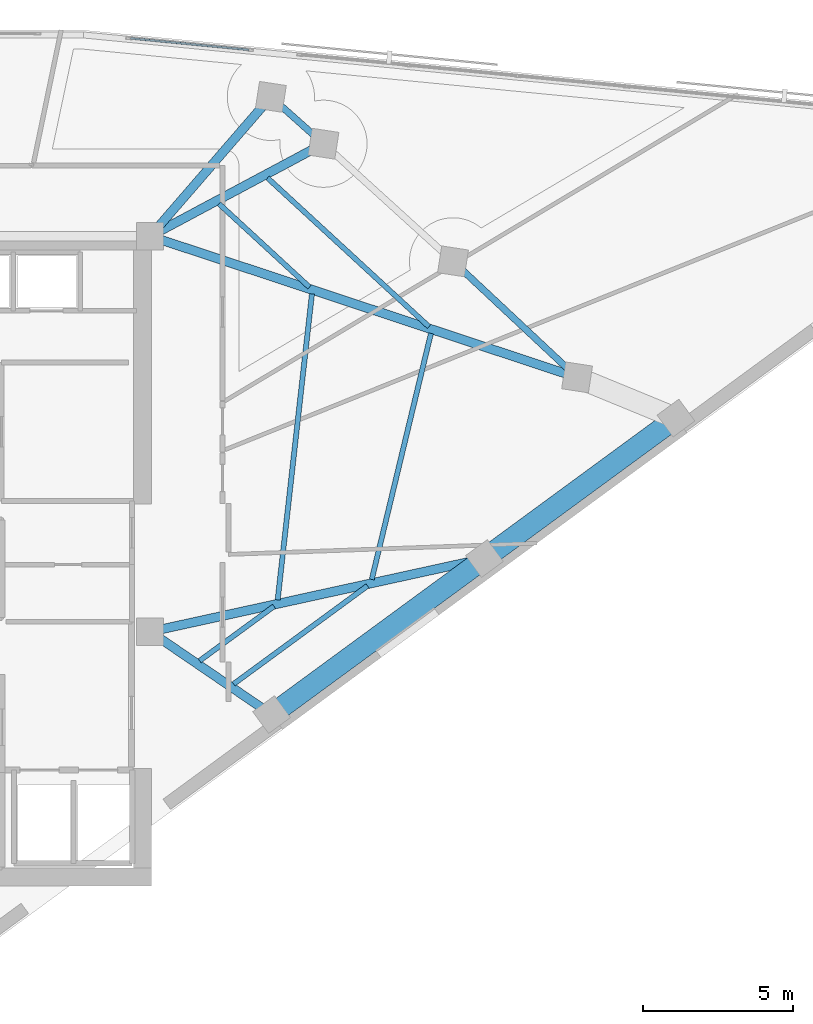
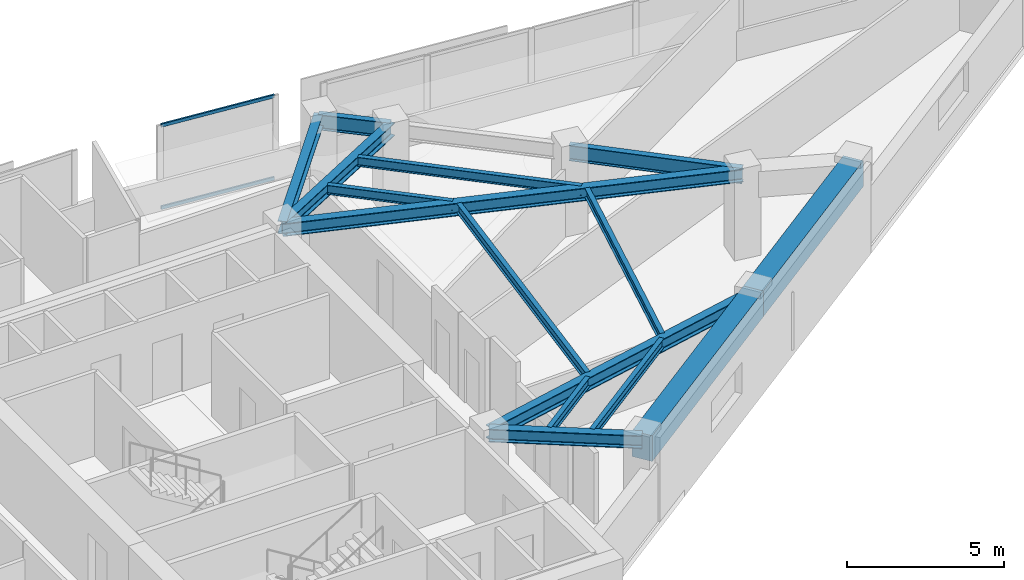
# One storey, part 4 of 13: 15 beams, 2 members, 1 element without a shape of its own.
"""IFC4 building model written with IfcOpenShell, lengths in metres."""

from ifc_helpers import new_model, si_unit, direction, frame, origin, origin_2d, place, context, subcontext, project, spatial, rectangle, hollow_rectangle, i_section, extrude, material, material_profile, profile_set, type_object, element, aggregate, save


model = new_model("IFC4")

# Units and contexts
model_context = context("Model", 3, precision=1e-05, world=origin(), true_north=direction((0.0, 1.0)))
body_context = subcontext(model_context, "Body", "Model", "MODEL_VIEW")
ifc_project = project(units=[si_unit("LENGTHUNIT", "METRE"), si_unit("AREAUNIT", "SQUARE_METRE"), si_unit("VOLUMEUNIT", "CUBIC_METRE"), si_unit("PLANEANGLEUNIT", "RADIAN"), si_unit("MASSUNIT", "GRAM", prefix="KILO")], contexts=[model_context])

# Site, building, storey
site_placement = place(None, origin())
site = spatial("IfcSite", under=ifc_project, at=site_placement, CompositionType="ELEMENT")
building_placement = place(site_placement, origin())
building = spatial("IfcBuilding", under=site, at=building_placement, Name="Narakoshi Arena Tower", CompositionType="ELEMENT")
storey_placement = place(building_placement, frame((0.0, 0.0, 253.699951171875)))
storey = spatial("IfcBuildingStorey", under=building, at=storey_placement, Name="L69", CompositionType="ELEMENT", Elevation=253.699951171875)

# Beams
ifc_material_1 = material(Name="Concrete C60/75", Category="concrete")
ifc_material_profile_1 = material_profile(ifc_material_1, rectangle(XDim=0.699951171875, YDim=1.0, at=origin_2d()), Name="RCB700x1000")
ifc_profile_set_1 = profile_set([ifc_material_profile_1], Name="Concrete C60/75")
beam_type_1 = type_object("IfcBeamType", Name="BM-CPL-1000", PredefinedType="BEAM", material=ifc_profile_set_1)
beam_1_placement = place(storey_placement, frame((89.58642578125, 40.594482421875, 2.760009765625), z_axis=(0.806446564509, 0.591306974922, 0.0), x_axis=(-0.591306974922, 0.806446564509, 0.0)))
element("IfcBeam", 1, at=beam_1_placement, inside=storey, type_object=beam_type_1, Name="L69 Perimeter Edge Girder 01", PredefinedType="BEAM", context=body_context, shape_type="SweptSolid", body=[
    extrude(rectangle(XDim=0.699951171875, YDim=1.0, at=origin_2d()), origin(), (0.0, 0.0, 1.0), 8.775390625),
])
beam_2_placement = place(storey_placement, frame((96.663330078125, 45.783447265625, 2.760009765625), z_axis=(0.806437425649, 0.59131943864, 0.0), x_axis=(-0.59131943864, 0.806437425649, 0.0)))
element("IfcBeam", 2, at=beam_2_placement, inside=storey, type_object=beam_type_1, Name="L69 Perimeter Edge Girder 02", PredefinedType="BEAM", context=body_context, shape_type="SweptSolid", body=[
    extrude(rectangle(XDim=0.699951171875, YDim=1.0, at=origin_2d()), origin(), (0.0, 0.0, 1.0), 7.89794921875),
])
ifc_material_2 = material(Name="Structural steel S355J2", Category="steel")
ifc_material_profile_2 = material_profile(ifc_material_2, i_section(OverallWidth=0.219970703125, OverallDepth=0.60009765625, WebThickness=0.011962890625, FlangeThickness=0.01904296875, FilletRadius=0.02392578125, at=origin_2d()), Name="IPE600")
ifc_profile_set_2 = profile_set([ifc_material_profile_2], Name="Structural steel S355J2")
beam_type_2 = type_object("IfcBeamType", Name="BM-EDGE-600", PredefinedType="BEAM", material=ifc_profile_set_2)
beam_3_placement = place(storey_placement, frame((99.74267578125, 51.80712890625, 2.9599609375), z_axis=(-0.730193480459, 0.683240427006, 0.0), x_axis=(-0.683240427006, -0.730193480459, 0.0)))
element("IfcBeam", 3, at=beam_3_placement, inside=storey, type_object=beam_type_2, Name="L69 Perimeter Edge Girder 04", PredefinedType="BEAM", context=body_context, shape_type="SweptSolid", body=[
    extrude(i_section(OverallWidth=0.219970703125, OverallDepth=0.60009765625, WebThickness=0.011962890625, FlangeThickness=0.01904296875, FilletRadius=0.02392578125, at=origin_2d()), origin(), (0.0, 0.0, 1.0), 5.646728515625),
])
beam_4_placement = place(storey_placement, frame((91.311279296875, 59.576416015625, 2.9599609375), z_axis=(-0.746770864852, 0.665081405099, 0.0), x_axis=(-0.665081405099, -0.746770864852, 0.0)))
element("IfcBeam", 4, at=beam_4_placement, inside=storey, type_object=beam_type_2, Name="L69 Perimeter Edge Girder 06", PredefinedType="BEAM", context=body_context, shape_type="SweptSolid", body=[
    extrude(i_section(OverallWidth=0.219970703125, OverallDepth=0.60009765625, WebThickness=0.011962890625, FlangeThickness=0.01904296875, FilletRadius=0.02392578125, at=origin_2d()), origin(), (0.0, 0.0, 1.0), 2.343017578125),
])
ifc_material_profile_3 = material_profile(ifc_material_2, i_section(OverallWidth=0.300048828125, OverallDepth=0.5, WebThickness=0.014404296875, FlangeThickness=0.028076171875, FilletRadius=0.027099609375, at=origin_2d()), Name="HE500B")
ifc_profile_set_3 = profile_set([ifc_material_profile_3], Name="Structural steel S355J2")
beam_type_3 = type_object("IfcBeamType", Name="BM-PRI-500", PredefinedType="BEAM", material=ifc_profile_set_3)
beam_5_placement = place(storey_placement, frame((85.550048828125, 43.35009765625, 3.010009765625), z_axis=(0.825890057955, -0.563831191201, 0.0), x_axis=(0.563831191201, 0.825890057955, 0.0)))
element("IfcBeam", 5, at=beam_5_placement, inside=storey, type_object=beam_type_3, Name="L69 Radial Primary Floor Girder 01", PredefinedType="BEAM", context=body_context, shape_type="SweptSolid", body=[
    extrude(i_section(OverallWidth=0.300048828125, OverallDepth=0.5, WebThickness=0.014404296875, FlangeThickness=0.028076171875, FilletRadius=0.027099609375, at=origin_2d()), origin(), (0.0, 0.0, 1.0), 4.88720703125),
])
beam_6_placement = place(storey_placement, frame((85.550048828125, 43.35009765625, 3.010009765625), z_axis=(0.976857438099, 0.213891434216, 0.0), x_axis=(-0.213891434216, 0.976857438099, 0.0)))
element("IfcBeam", 6, at=beam_6_placement, inside=storey, type_object=beam_type_3, Name="L69 Radial Primary Floor Girder 02", PredefinedType="BEAM", context=body_context, shape_type="SweptSolid", body=[
    extrude(i_section(OverallWidth=0.300048828125, OverallDepth=0.5, WebThickness=0.014404296875, FlangeThickness=0.028076171875, FilletRadius=0.027099609375, at=origin_2d()), origin(), (0.0, 0.0, 1.0), 11.37646484375),
])
beam_7_placement = place(storey_placement, frame((85.550048828125, 56.5, 3.010009765625), z_axis=(0.949443255158, -0.31393869662, 0.0), x_axis=(0.31393869662, 0.949443255158, 0.0)))
element("IfcBeam", 7, at=beam_7_placement, inside=storey, type_object=beam_type_3, Name="L69 Radial Primary Floor Girder 04", PredefinedType="BEAM", context=body_context, shape_type="SweptSolid", body=[
    extrude(i_section(OverallWidth=0.300048828125, OverallDepth=0.5, WebThickness=0.014404296875, FlangeThickness=0.028076171875, FilletRadius=0.027099609375, at=origin_2d()), origin(), (0.0, 0.0, 1.0), 14.948486328125),
])
beam_8_placement = place(storey_placement, frame((85.550048828125, 56.5, 3.010009765625), z_axis=(0.882113796729, 0.471036357004, 0.0), x_axis=(-0.471036357004, 0.882113796729, 0.0)))
element("IfcBeam", 8, at=beam_8_placement, inside=storey, type_object=beam_type_3, Name="L69 Radial Primary Floor Girder 06", PredefinedType="BEAM", context=body_context, shape_type="SweptSolid", body=[
    extrude(i_section(OverallWidth=0.300048828125, OverallDepth=0.5, WebThickness=0.014404296875, FlangeThickness=0.028076171875, FilletRadius=0.027099609375, at=origin_2d()), origin(), (0.0, 0.0, 1.0), 6.53125),
])
beam_9_placement = place(storey_placement, frame((85.550048828125, 56.5, 3.010009765625), z_axis=(0.654434553487, 0.756118651537, 0.0), x_axis=(-0.756118651537, 0.654434553487, 0.0)))
element("IfcBeam", 9, at=beam_9_placement, inside=storey, type_object=beam_type_3, Name="L69 Radial Primary Floor Girder 07", PredefinedType="BEAM", context=body_context, shape_type="SweptSolid", body=[
    extrude(i_section(OverallWidth=0.300048828125, OverallDepth=0.5, WebThickness=0.014404296875, FlangeThickness=0.028076171875, FilletRadius=0.027099609375, at=origin_2d()), origin(), (0.0, 0.0, 1.0), 6.129638671875),
])
ifc_material_profile_4 = material_profile(ifc_material_2, i_section(OverallWidth=0.169921875, OverallDepth=0.360107421875, WebThickness=0.008056640625, FlangeThickness=0.0126953125, FilletRadius=0.01806640625, at=origin_2d()), Name="IPE360")
ifc_profile_set_4 = profile_set([ifc_material_profile_4], Name="Structural steel S355J2")
beam_type_4 = type_object("IfcBeamType", Name="BM-SEC-360", PredefinedType="JOIST", material=ifc_profile_set_4)
beam_10_placement = place(storey_placement, frame((87.192626953125, 42.3828125, 3.080078125), z_axis=(0.806491095196, 0.59124623751, 0.0), x_axis=(-0.59124623751, 0.806491095196, 0.0)))
element("IfcBeam", 10, at=beam_10_placement, inside=storey, type_object=beam_type_4, Name="L69 Composite Secondary Floor Joist 01", PredefinedType="JOIST", context=body_context, shape_type="SweptSolid", body=[
    extrude(i_section(OverallWidth=0.169921875, OverallDepth=0.360107421875, WebThickness=0.008056640625, FlangeThickness=0.0126953125, FilletRadius=0.01806640625, at=origin_2d()), origin(), (0.0, 0.0, 1.0), 3.064697265625),
])
beam_11_placement = place(storey_placement, frame((88.322998046875, 41.611083984375, 3.080078125), z_axis=(0.80643170275, 0.591327243411, 0.0), x_axis=(-0.591327243411, 0.80643170275, 0.0)))
element("IfcBeam", 11, at=beam_11_placement, inside=storey, type_object=beam_type_4, Name="L69 Composite Secondary Floor Joist 02", PredefinedType="JOIST", context=body_context, shape_type="SweptSolid", body=[
    extrude(i_section(OverallWidth=0.169921875, OverallDepth=0.360107421875, WebThickness=0.008056640625, FlangeThickness=0.0126953125, FilletRadius=0.01806640625, at=origin_2d()), origin(), (0.0, 0.0, 1.0), 5.521728515625),
])
beam_12_placement = place(storey_placement, frame((89.7880859375, 44.408935546875, 3.080078125), z_axis=(0.111371154474, 0.99377888182, 0.0), x_axis=(-0.99377888182, 0.111371154474, 0.0)))
element("IfcBeam", 12, at=beam_12_placement, inside=storey, type_object=beam_type_4, Name="L69 Composite Secondary Floor Joist 03", PredefinedType="JOIST", context=body_context, shape_type="SweptSolid", body=[
    extrude(i_section(OverallWidth=0.169921875, OverallDepth=0.360107421875, WebThickness=0.008056640625, FlangeThickness=0.0126953125, FilletRadius=0.01806640625, at=origin_2d()), origin(), (0.0, 0.0, 1.0), 10.2373046875),
])
beam_13_placement = place(storey_placement, frame((92.91650390625, 45.08740234375, 3.080078125), z_axis=(0.233913716511, 0.972257359565, 0.0), x_axis=(-0.972257359565, 0.233913716511, 0.0)))
element("IfcBeam", 13, at=beam_13_placement, inside=storey, type_object=beam_type_4, Name="L69 Composite Secondary Floor Joist 04", PredefinedType="JOIST", context=body_context, shape_type="SweptSolid", body=[
    extrude(i_section(OverallWidth=0.169921875, OverallDepth=0.360107421875, WebThickness=0.008056640625, FlangeThickness=0.0126953125, FilletRadius=0.01806640625, at=origin_2d()), origin(), (0.0, 0.0, 1.0), 8.417724609375),
])
beam_14_placement = place(storey_placement, frame((90.843994140625, 54.80810546875, 3.080078125), z_axis=(-0.735400942235, 0.677632241086, 0.0), x_axis=(-0.677632241086, -0.735400942235, 0.0)))
element("IfcBeam", 14, at=beam_14_placement, inside=storey, type_object=beam_type_4, Name="L69 Composite Secondary Floor Joist 05", PredefinedType="JOIST", context=body_context, shape_type="SweptSolid", body=[
    extrude(i_section(OverallWidth=0.169921875, OverallDepth=0.360107421875, WebThickness=0.008056640625, FlangeThickness=0.0126953125, FilletRadius=0.01806640625, at=origin_2d()), origin(), (0.0, 0.0, 1.0), 4.086669921875),
])
beam_15_placement = place(storey_placement, frame((94.81787109375, 53.494140625, 3.080078125), z_axis=(-0.735390648624, 0.677643412066, 0.0), x_axis=(-0.677643412066, -0.735390648624, 0.0)))
element("IfcBeam", 15, at=beam_15_placement, inside=storey, type_object=beam_type_4, Name="L69 Composite Secondary Floor Joist 06", PredefinedType="JOIST", context=body_context, shape_type="SweptSolid", body=[
    extrude(i_section(OverallWidth=0.169921875, OverallDepth=0.360107421875, WebThickness=0.008056640625, FlangeThickness=0.0126953125, FilletRadius=0.01806640625, at=origin_2d()), origin(), (0.0, 0.0, 1.0), 7.297119140625),
])

# Curtain wall, members
ifc_material_3 = material(Name="Anodised bronze aluminium 6063-T6", Category="aluminium")
curtain_wall_type = type_object("IfcCurtainWallType", Name="CW-HYP-HIGH", PredefinedType="NOTDEFINED", material=ifc_material_3)
curtain_wall_placement = place(storey_placement, origin())
curtain_wall = element("IfcCurtainWall", 16, at=curtain_wall_placement, inside=storey, type_object=curtain_wall_type, Name="L69 Folded Hypotenuse Curtain Wall 1-2", PredefinedType="NOTDEFINED")
ifc_material_profile_5 = material_profile(ifc_material_3, hollow_rectangle(XDim=0.06494140625, YDim=0.1298828125, WallThickness=0.00390625, OuterFilletRadius=0.0048828125, at=origin_2d()), Name="TRN130x65x4")
ifc_profile_set_5 = profile_set([ifc_material_profile_5], Name="Anodised bronze aluminium 6063-T6")
member_type = type_object("IfcMemberType", Name="MEM-TRN-130", PredefinedType="USERDEFINED", material=ifc_profile_set_5)
member_1_placement = place(storey_placement, frame((88.830810546875, 62.69775390625, 0.032470703125), z_axis=(-0.995301216231, 0.096827108647, 0.0), x_axis=(-0.096827108647, -0.995301216231, 0.0)))
member_1 = element("IfcMember", 17, at=member_1_placement, type_object=member_type, Name="CW-03 transom 1.1", ObjectType="TRANSOM", PredefinedType="USERDEFINED", context=body_context, shape_type="SweptSolid", body=[
    extrude(hollow_rectangle(XDim=0.06494140625, YDim=0.1298828125, WallThickness=0.00390625, OuterFilletRadius=0.0048828125, at=origin_2d()), origin(), (0.0, 0.0, 1.0), 3.9560546875),
])
member_2_placement = place(storey_placement, frame((88.830810546875, 62.69775390625, 3.2275390625), z_axis=(-0.995301216231, 0.096827108647, 0.0), x_axis=(-0.096827108647, -0.995301216231, 0.0)))
member_2 = element("IfcMember", 18, at=member_2_placement, type_object=member_type, Name="CW-03 transom 1.2", ObjectType="TRANSOM", PredefinedType="USERDEFINED", context=body_context, shape_type="SweptSolid", body=[
    extrude(hollow_rectangle(XDim=0.06494140625, YDim=0.1298828125, WallThickness=0.00390625, OuterFilletRadius=0.0048828125, at=origin_2d()), origin(), (0.0, 0.0, 1.0), 3.9560546875),
])
aggregate(curtain_wall, [member_1, member_2])

save(model, "model.ifc")
